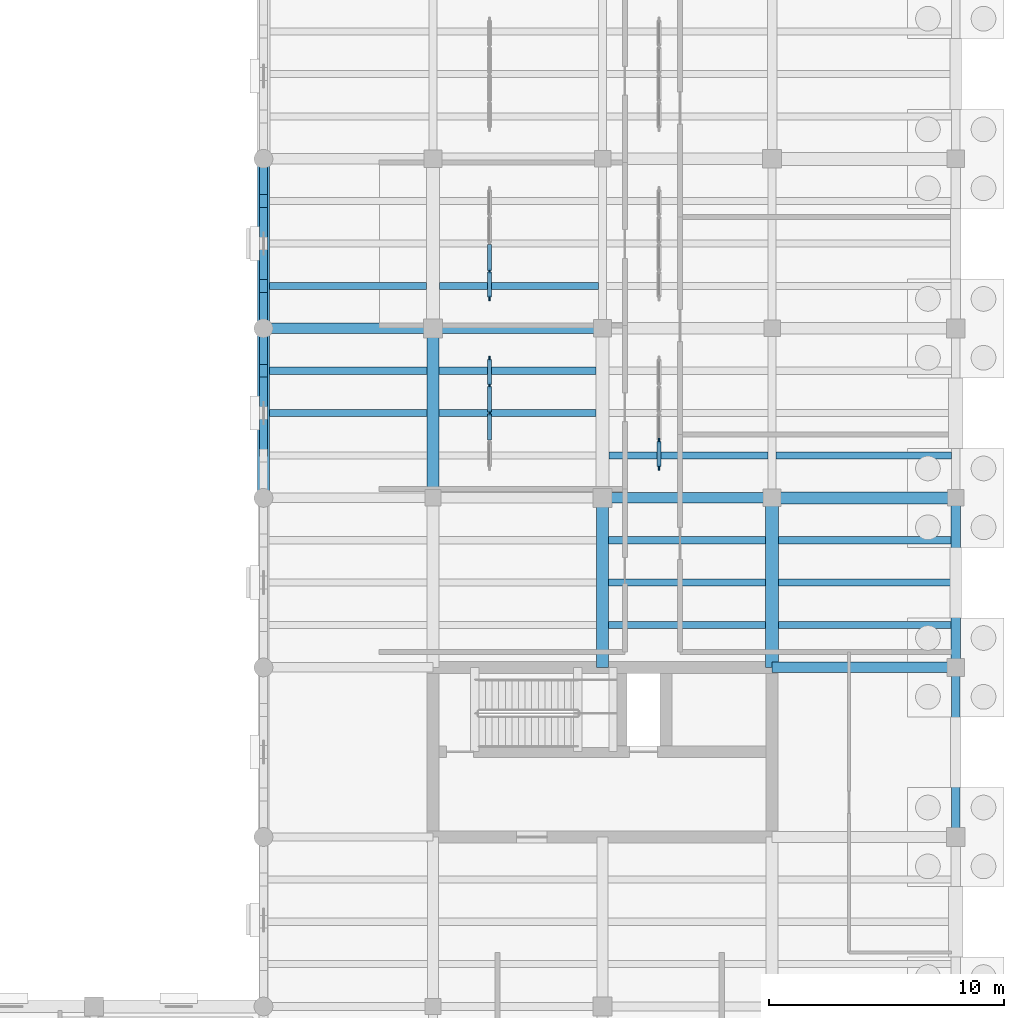
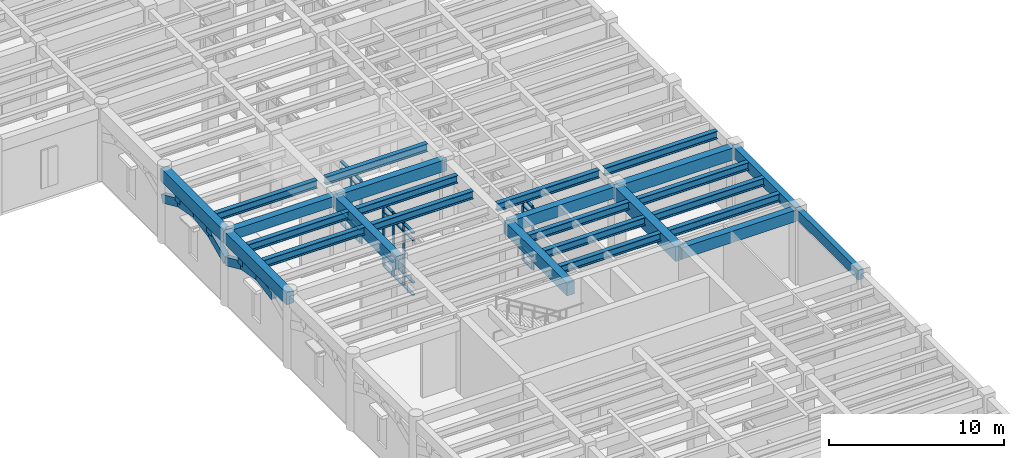
# One storey, part 40 of 100: 41 members, 26 beams, 3 elements without a shape of their own.
"""IFC4 building model written with IfcOpenShell, lengths in metres."""

from ifc_helpers import new_model, si_unit, direction, frame, origin, origin_2d, place, context, subcontext, project, spatial, rectangle, i_section, extrude, material, material_profile, profile_set, type_object, element, aggregate, save


model = new_model("IFC4")

# Units and contexts
model_context = context("Model", 3, precision=1e-05, world=origin(), true_north=direction((0.0, 1.0)))
body_context = subcontext(model_context, "Body", "Model", "MODEL_VIEW")
ifc_project = project(units=[si_unit("LENGTHUNIT", "METRE"), si_unit("AREAUNIT", "SQUARE_METRE"), si_unit("VOLUMEUNIT", "CUBIC_METRE"), si_unit("PLANEANGLEUNIT", "RADIAN"), si_unit("MASSUNIT", "GRAM", prefix="KILO")], contexts=[model_context])

# Site, building, storey
site_placement = place(None, origin())
site = spatial("IfcSite", under=ifc_project, at=site_placement, CompositionType="ELEMENT")
building_placement = place(site_placement, origin())
building = spatial("IfcBuilding", under=site, at=building_placement, Name="Mithqara Police Headquarters", CompositionType="ELEMENT")
storey_placement = place(building_placement, origin())
storey = spatial("IfcBuildingStorey", under=building, at=storey_placement, Name="L00", CompositionType="ELEMENT", Elevation=0.0)

# Members
ifc_material_1 = material(Name="Concrete C50/60", Category="concrete")
ifc_material_profile_1 = material_profile(ifc_material_1, rectangle(XDim=0.35009765625, YDim=0.550048828125, at=origin_2d()), Name="ARC 350x550")
ifc_profile_set_1 = profile_set([ifc_material_profile_1], Name="Concrete C50/60")
member_type_1 = type_object("IfcMemberType", Name="ARCH SEG 350X550", PredefinedType="STRUT", material=ifc_profile_set_1)
member_1_placement = place(storey_placement, frame((144.60009765625, 58.800048828125, 3.76318359375), z_axis=(0.0, 0.982930996603, 0.183974606715), x_axis=(-1.0, 0.0, 0.0)))
element("IfcMember", 1, at=member_1_placement, inside=storey, type_object=member_type_1, Name="East Courtyard Cloister Bay 4 Ottoman Arch Chord 2", PredefinedType="STRUT", context=body_context, shape_type="SweptSolid", body=[
    extrude(rectangle(XDim=0.35009765625, YDim=0.550048828125, at=origin_2d()), origin(), (0.0, 0.0, 1.0), 1.831298828125),
])
member_2_placement = place(storey_placement, frame((144.60009765625, 60.60009765625, 4.10009765625), z_axis=(0.0, 0.982926483452, -0.183998717738), x_axis=(-1.0, 0.0, 0.0)))
element("IfcMember", 2, at=member_2_placement, inside=storey, type_object=member_type_1, Name="East Courtyard Cloister Bay 4 Ottoman Arch Chord 3", PredefinedType="STRUT", context=body_context, shape_type="SweptSolid", body=[
    extrude(rectangle(XDim=0.35009765625, YDim=0.550048828125, at=origin_2d()), origin(), (0.0, 0.0, 1.0), 1.8310546875),
])
member_3_placement = place(storey_placement, frame((144.60009765625, 62.39990234375, 3.76318359375), z_axis=(0.0, 0.911312261811, -0.411715874691), x_axis=(-1.0, 0.0, 0.0)))
element("IfcMember", 3, at=member_3_placement, inside=storey, type_object=member_type_1, Name="East Courtyard Cloister Bay 4 Ottoman Arch Chord 4", PredefinedType="STRUT", context=body_context, shape_type="SweptSolid", body=[
    extrude(rectangle(XDim=0.35009765625, YDim=0.550048828125, at=origin_2d()), origin(), (0.0, 0.0, 1.0), 1.975341796875),
])
member_4_placement = place(storey_placement, frame((144.60009765625, 62.39990234375, 3.76318359375), z_axis=(0.0, 0.0, 1.0), x_axis=(1.0, 0.0, 0.0)))
element("IfcMember", 4, at=member_4_placement, inside=storey, type_object=member_type_1, Name="East Courtyard Cloister Bay 4 Arch Spandrel Post 3", PredefinedType="STRUT", context=body_context, shape_type="SweptSolid", body=[
    extrude(rectangle(XDim=0.35009765625, YDim=0.550048828125, at=origin_2d()), origin(), (0.0, 0.0, 1.0), 0.931884765625),
])
member_5_placement = place(storey_placement, frame((144.60009765625, 64.199951171875, 2.949951171875), z_axis=(0.0, 0.911312261811, 0.411715874691), x_axis=(-1.0, 0.0, 0.0)))
element("IfcMember", 5, at=member_5_placement, inside=storey, type_object=member_type_1, Name="East Courtyard Cloister Bay 5 Ottoman Arch Chord 1", PredefinedType="STRUT", context=body_context, shape_type="SweptSolid", body=[
    extrude(rectangle(XDim=0.35009765625, YDim=0.550048828125, at=origin_2d()), origin(), (0.0, 0.0, 1.0), 1.975341796875),
])
for number, where, z_axis, x_axis, name in (
    (6, (144.60009765625, 66.0, 3.76318359375), (0.0, 0.982930996603, 0.183974606715), (-1.0, 0.0, 0.0), "East Courtyard Cloister Bay 5 Ottoman Arch Chord 2"),
    (7, (144.60009765625, 67.800048828125, 4.10009765625), (0.0, 0.982930996603, -0.183974606715), (-1.0, 0.0, 0.0), "East Courtyard Cloister Bay 5 Ottoman Arch Chord 3"),
):
    element("IfcMember", number, at=place(storey_placement, frame(where, z_axis=z_axis, x_axis=x_axis)), inside=storey, type_object=member_type_1, Name=name, PredefinedType="STRUT", context=body_context, shape_type="SweptSolid", body=[
        extrude(rectangle(XDim=0.35009765625, YDim=0.550048828125, at=origin_2d()), origin(), (0.0, 0.0, 1.0), 1.831298828125),
    ])
member_6_placement = place(storey_placement, frame((144.60009765625, 69.60009765625, 3.76318359375), z_axis=(0.0, 0.911291306622, -0.411762254796), x_axis=(-1.0, 0.0, 0.0)))
element("IfcMember", 8, at=member_6_placement, inside=storey, type_object=member_type_1, Name="East Courtyard Cloister Bay 5 Ottoman Arch Chord 4", PredefinedType="STRUT", context=body_context, shape_type="SweptSolid", body=[
    extrude(rectangle(XDim=0.35009765625, YDim=0.550048828125, at=origin_2d()), origin(), (0.0, 0.0, 1.0), 1.97509765625),
])
for number, where, z_axis, x_axis, name in (
    (9, (144.60009765625, 66.0, 3.76318359375), (0.0, 0.0, 1.0), (1.0, 0.0, 0.0), "East Courtyard Cloister Bay 5 Arch Spandrel Post 1"),
    (10, (144.60009765625, 69.60009765625, 3.76318359375), (0.0, 0.0, 1.0), (1.0, 0.0, 0.0), "East Courtyard Cloister Bay 5 Arch Spandrel Post 3"),
):
    element("IfcMember", number, at=place(storey_placement, frame(where, z_axis=z_axis, x_axis=x_axis)), inside=storey, type_object=member_type_1, Name=name, PredefinedType="STRUT", context=body_context, shape_type="SweptSolid", body=[
        extrude(rectangle(XDim=0.35009765625, YDim=0.550048828125, at=origin_2d()), origin(), (0.0, 0.0, 1.0), 0.90673828125),
    ])

# Beams
ifc_material_2 = material(Name="Steel S355JR", Category="steel")
ifc_material_profile_2 = material_profile(ifc_material_2, i_section(OverallWidth=0.300048828125, OverallDepth=0.550048828125, WebThickness=0.014892578125, FlangeThickness=0.029052734375, FilletRadius=0.027099609375, at=origin_2d()), Name="HEB 550")
ifc_profile_set_2 = profile_set([ifc_material_profile_2], Name="Steel S355JR")
beam_type_1 = type_object("IfcBeamType", Name="BEAM HEB550", PredefinedType="BEAM", material=ifc_profile_set_2)
for number, where, z_axis, x_axis, name in (
    (11, (144.85009765625, 60.60009765625, 4.844970703125), (1.0, 0.0, 0.0), (0.0, 1.0, 0.0), "L00 Composite Steel Joist 21-22/J.2"),
    (12, (144.85009765625, 62.39990234375, 4.844970703125), (1.0, 0.0, 0.0), (0.0, 1.0, 0.0), "L00 Composite Steel Joist 21-22/J.3"),
):
    element("IfcBeam", number, at=place(storey_placement, frame(where, z_axis=z_axis, x_axis=x_axis)), inside=storey, type_object=beam_type_1, Name=name, PredefinedType="BEAM", context=body_context, shape_type="SweptSolid", body=[
        extrude(i_section(OverallWidth=0.300048828125, OverallDepth=0.550048828125, WebThickness=0.014892578125, FlangeThickness=0.029052734375, FilletRadius=0.027099609375, at=origin_2d()), origin(), (0.0, 0.0, 1.0), 6.699951171875),
    ])
beam_1_placement = place(storey_placement, frame((144.85009765625, 66.0, 4.844970703125), z_axis=(1.0, 0.0, 0.0), x_axis=(0.0, 1.0, 0.0)))
element("IfcBeam", 13, at=beam_1_placement, inside=storey, type_object=beam_type_1, Name="L00 Composite Steel Joist 21-22/K.1", PredefinedType="BEAM", context=body_context, shape_type="SweptSolid", body=[
    extrude(i_section(OverallWidth=0.300048828125, OverallDepth=0.550048828125, WebThickness=0.014892578125, FlangeThickness=0.029052734375, FilletRadius=0.027099609375, at=origin_2d()), origin(), (0.0, 0.0, 1.0), 6.6748046875),
])
for number, where, z_axis, x_axis, name in (
    (14, (152.050048828125, 60.60009765625, 4.844970703125), (1.0, 0.0, 0.0), (0.0, 1.0, 0.0), "L00 Composite Steel Joist 22-23/J.2"),
    (15, (152.050048828125, 62.39990234375, 4.844970703125), (1.0, 0.0, 0.0), (0.0, 1.0, 0.0), "L00 Composite Steel Joist 22-23/J.3"),
):
    element("IfcBeam", number, at=place(storey_placement, frame(where, z_axis=z_axis, x_axis=x_axis)), inside=storey, type_object=beam_type_1, Name=name, PredefinedType="BEAM", context=body_context, shape_type="SweptSolid", body=[
        extrude(i_section(OverallWidth=0.300048828125, OverallDepth=0.550048828125, WebThickness=0.014892578125, FlangeThickness=0.029052734375, FilletRadius=0.027099609375, at=origin_2d()), origin(), (0.0, 0.0, 1.0), 6.675048828125),
    ])
beam_2_placement = place(storey_placement, frame((152.074951171875, 66.0, 4.844970703125), z_axis=(1.0, 0.0, 0.0), x_axis=(0.0, 1.0, 0.0)))
element("IfcBeam", 16, at=beam_2_placement, inside=storey, type_object=beam_type_1, Name="L00 Composite Steel Joist 22-23/K.1", PredefinedType="BEAM", context=body_context, shape_type="SweptSolid", body=[
    extrude(i_section(OverallWidth=0.300048828125, OverallDepth=0.550048828125, WebThickness=0.014892578125, FlangeThickness=0.029052734375, FilletRadius=0.027099609375, at=origin_2d()), origin(), (0.0, 0.0, 1.0), 6.75),
])
for number, where, z_axis, x_axis, name in (
    (17, (159.25, 51.60009765625, 4.844970703125), (1.0, 0.0, 0.0), (0.0, 1.0, 0.0), "L00 Composite Steel Joist 23-24/H.1"),
    (18, (159.25, 53.39990234375, 4.844970703125), (1.0, 0.0, 0.0), (0.0, 1.0, 0.0), "L00 Composite Steel Joist 23-24/H.2"),
    (19, (159.25, 55.199951171875, 4.844970703125), (1.0, 0.0, 0.0), (0.0, 1.0, 0.0), "L00 Composite Steel Joist 23-24/H.3"),
):
    element("IfcBeam", number, at=place(storey_placement, frame(where, z_axis=z_axis, x_axis=x_axis)), inside=storey, type_object=beam_type_1, Name=name, PredefinedType="BEAM", context=body_context, shape_type="SweptSolid", body=[
        extrude(i_section(OverallWidth=0.300048828125, OverallDepth=0.550048828125, WebThickness=0.014892578125, FlangeThickness=0.029052734375, FilletRadius=0.027099609375, at=origin_2d()), origin(), (0.0, 0.0, 1.0), 6.675048828125),
    ])
beam_3_placement = place(storey_placement, frame((159.27490234375, 58.800048828125, 4.844970703125), z_axis=(1.0, 0.0, 0.0), x_axis=(0.0, 1.0, 0.0)))
element("IfcBeam", 20, at=beam_3_placement, inside=storey, type_object=beam_type_1, Name="L00 Composite Steel Joist 23-24/J.1", PredefinedType="BEAM", context=body_context, shape_type="SweptSolid", body=[
    extrude(i_section(OverallWidth=0.300048828125, OverallDepth=0.550048828125, WebThickness=0.014892578125, FlangeThickness=0.029052734375, FilletRadius=0.027099609375, at=origin_2d()), origin(), (0.0, 0.0, 1.0), 6.75),
])
for number, where, z_axis, x_axis, name in (
    (21, (166.47509765625, 51.60009765625, 4.844970703125), (1.0, 0.0, 0.0), (0.0, 1.0, 0.0), "L00 Composite Steel Joist 24-25/H.1"),
    (22, (166.47509765625, 53.39990234375, 4.844970703125), (1.0, 0.0, 0.0), (0.0, 1.0, 0.0), "L00 Composite Steel Joist 24-25/H.2"),
    (23, (166.47509765625, 55.199951171875, 4.844970703125), (1.0, 0.0, 0.0), (0.0, 1.0, 0.0), "L00 Composite Steel Joist 24-25/H.3"),
):
    element("IfcBeam", number, at=place(storey_placement, frame(where, z_axis=z_axis, x_axis=x_axis)), inside=storey, type_object=beam_type_1, Name=name, PredefinedType="BEAM", context=body_context, shape_type="SweptSolid", body=[
        extrude(i_section(OverallWidth=0.300048828125, OverallDepth=0.550048828125, WebThickness=0.014892578125, FlangeThickness=0.029052734375, FilletRadius=0.027099609375, at=origin_2d()), origin(), (0.0, 0.0, 1.0), 7.324951171875),
    ])
beam_4_placement = place(storey_placement, frame((166.375, 58.800048828125, 4.844970703125), z_axis=(1.0, 0.0, 0.0), x_axis=(0.0, 1.0, 0.0)))
element("IfcBeam", 24, at=beam_4_placement, inside=storey, type_object=beam_type_1, Name="L00 Composite Steel Joist 24-25/J.1", PredefinedType="BEAM", context=body_context, shape_type="SweptSolid", body=[
    extrude(i_section(OverallWidth=0.300048828125, OverallDepth=0.550048828125, WebThickness=0.014892578125, FlangeThickness=0.029052734375, FilletRadius=0.027099609375, at=origin_2d()), origin(), (0.0, 0.0, 1.0), 7.449951171875),
])
ifc_material_3 = material(Name="Concrete C40/50", Category="concrete")
ifc_material_profile_3 = material_profile(ifc_material_3, rectangle(XDim=0.449951171875, YDim=0.699951171875, at=origin_2d()), Name="RC 450x700")
ifc_profile_set_3 = profile_set([ifc_material_profile_3], Name="Concrete C40/50")
beam_type_2 = type_object("IfcBeamType", Name="BEAM RC450X700", PredefinedType="BEAM", material=ifc_profile_set_3)
beam_5_placement = place(storey_placement, frame((144.60009765625, 64.199951171875, 4.77001953125), z_axis=(1.0, 0.0, 0.0), x_axis=(0.0, 1.0, 0.0)))
element("IfcBeam", 25, at=beam_5_placement, inside=storey, type_object=beam_type_2, Name="L00 Girder 21-22/K", PredefinedType="BEAM", context=body_context, shape_type="SweptSolid", body=[
    extrude(rectangle(XDim=0.449951171875, YDim=0.699951171875, at=origin_2d()), origin(), (0.0, 0.0, 1.0), 7.199951171875),
])
ifc_material_profile_4 = material_profile(ifc_material_3, rectangle(XDim=0.449951171875, YDim=0.800048828125, at=origin_2d()), Name="RC 450x800")
ifc_profile_set_4 = profile_set([ifc_material_profile_4], Name="Concrete C40/50")
beam_type_3 = type_object("IfcBeamType", Name="BEAM RC450X800", PredefinedType="BEAM", material=ifc_profile_set_4)
for number, where, z_axis, x_axis, name in (
    (26, (151.800048828125, 64.199951171875, 4.719970703125), (1.0, 0.0, 0.0), (0.0, 1.0, 0.0), "L00 Girder 22-23/K"),
    (27, (159.0, 57.0, 4.719970703125), (1.0, 0.0, 0.0), (0.0, 1.0, 0.0), "L00 Girder 23-24/J"),
):
    element("IfcBeam", number, at=place(storey_placement, frame(where, z_axis=z_axis, x_axis=x_axis)), inside=storey, type_object=beam_type_3, Name=name, PredefinedType="BEAM", context=body_context, shape_type="SweptSolid", body=[
        extrude(rectangle(XDim=0.449951171875, YDim=0.800048828125, at=origin_2d()), origin(), (0.0, 0.0, 1.0), 7.199951171875),
    ])
beam_6_placement = place(storey_placement, frame((166.199951171875, 49.800048828125, 4.719970703125), z_axis=(1.0, 0.0, 0.0), x_axis=(0.0, 1.0, 0.0)))
element("IfcBeam", 28, at=beam_6_placement, inside=storey, type_object=beam_type_3, Name="L00 Girder 24-25/H", PredefinedType="BEAM", context=body_context, shape_type="SweptSolid", body=[
    extrude(rectangle(XDim=0.449951171875, YDim=0.800048828125, at=origin_2d()), origin(), (0.0, 0.0, 1.0), 7.800048828125),
])
ifc_material_profile_5 = material_profile(ifc_material_3, rectangle(XDim=0.5, YDim=0.85009765625, at=origin_2d()), Name="RC 500x850")
ifc_profile_set_5 = profile_set([ifc_material_profile_5], Name="Concrete C40/50")
beam_type_4 = type_object("IfcBeamType", Name="BEAM RC500X850", PredefinedType="BEAM", material=ifc_profile_set_5)
beam_7_placement = place(storey_placement, frame((144.60009765625, 57.0, 4.695068359375), z_axis=(0.0, 1.0, 0.0), x_axis=(-1.0, 0.0, 0.0)))
element("IfcBeam", 29, at=beam_7_placement, inside=storey, type_object=beam_type_4, Name="L00 Girder 21/J-K", PredefinedType="BEAM", context=body_context, shape_type="SweptSolid", body=[
    extrude(rectangle(XDim=0.5, YDim=0.85009765625, at=origin_2d()), origin(), (0.0, 0.0, 1.0), 7.199951171875),
])
beam_8_placement = place(storey_placement, frame((166.199951171875, 57.0, 4.695068359375), z_axis=(1.0, 0.0, 0.0), x_axis=(0.0, 1.0, 0.0)))
element("IfcBeam", 30, at=beam_8_placement, inside=storey, type_object=beam_type_4, Name="L00 Girder 24-25/J", PredefinedType="BEAM", context=body_context, shape_type="SweptSolid", body=[
    extrude(rectangle(XDim=0.5, YDim=0.85009765625, at=origin_2d()), origin(), (0.0, 0.0, 1.0), 7.800048828125),
])
ifc_material_profile_6 = material_profile(ifc_material_1, rectangle(XDim=0.5, YDim=0.89990234375, at=origin_2d()), Name="RC 500x900")
ifc_profile_set_6 = profile_set([ifc_material_profile_6], Name="Concrete C50/60")
beam_type_5 = type_object("IfcBeamType", Name="BEAM RC500X900", PredefinedType="BEAM", material=ifc_profile_set_6)
for number, where, z_axis, x_axis, name in (
    (31, (144.60009765625, 64.199951171875, 4.669921875), (0.0, 1.0, 0.0), (-1.0, 0.0, 0.0), "L00 Girder 21/K-L"),
    (32, (151.800048828125, 57.0, 4.669921875), (0.0, 1.0, 0.0), (-1.0, 0.0, 0.0), "L00 Girder 22/J-K"),
    (33, (159.0, 49.800048828125, 4.669921875), (0.0, 1.0, 0.0), (-1.0, 0.0, 0.0), "L00 Girder 23/H-J"),
):
    element("IfcBeam", number, at=place(storey_placement, frame(where, z_axis=z_axis, x_axis=x_axis)), inside=storey, type_object=beam_type_5, Name=name, PredefinedType="BEAM", context=body_context, shape_type="SweptSolid", body=[
        extrude(rectangle(XDim=0.5, YDim=0.89990234375, at=origin_2d()), origin(), (0.0, 0.0, 1.0), 7.199951171875),
    ])
ifc_material_profile_7 = material_profile(ifc_material_1, rectangle(XDim=0.550048828125, YDim=1.0, at=origin_2d()), Name="RC 550x1000")
ifc_profile_set_7 = profile_set([ifc_material_profile_7], Name="Concrete C50/60")
beam_type_6 = type_object("IfcBeamType", Name="BEAM RC550X1000", PredefinedType="BEAM", material=ifc_profile_set_7)
beam_9_placement = place(storey_placement, frame((166.199951171875, 49.800048828125, 4.6201171875), z_axis=(0.0, 1.0, 0.0), x_axis=(-1.0, 0.0, 0.0)))
element("IfcBeam", 34, at=beam_9_placement, inside=storey, type_object=beam_type_6, Name="L00 Girder 24/H-J", PredefinedType="BEAM", context=body_context, shape_type="SweptSolid", body=[
    extrude(rectangle(XDim=0.550048828125, YDim=1.0, at=origin_2d()), origin(), (0.0, 0.0, 1.0), 7.199951171875),
])

# Curtain wall, members
ifc_material_4 = material(Name="Bronze anodised aluminium 6063-T6", Category="aluminium")
curtain_wall_type = type_object("IfcCurtainWallType", Name="CURTAIN WALL 4700X4400", PredefinedType="USERDEFINED", material=ifc_material_4)
curtain_wall_1_placement = place(storey_placement, origin())
curtain_wall_1 = element("IfcCurtainWall", 35, at=curtain_wall_1_placement, inside=storey, type_object=curtain_wall_type, Name="L00 Unitised Glazing CW-14 (CW-INT-L00-X21-Y08-0)", ObjectType="UNITISED GLAZING", PredefinedType="USERDEFINED")
ifc_material_profile_8 = material_profile(ifc_material_4, rectangle(XDim=0.074951171875, YDim=0.219970703125, at=origin_2d()), Name="CWM 75x220")
ifc_profile_set_8 = profile_set([ifc_material_profile_8], Name="Bronze anodised aluminium 6063-T6")
member_type_2 = type_object("IfcMemberType", Name="CWMULLION 75X220", PredefinedType="MULLION", material=ifc_profile_set_8)
member_7_placement = place(storey_placement, frame((154.199951171875, 60.60009765625, 0.0), z_axis=(0.0, 0.0, 1.0), x_axis=(-1.0, 0.0, 0.0)))
member_7 = element("IfcMember", 36, at=member_7_placement, type_object=member_type_2, Name="CW-14 mullion 3", PredefinedType="MULLION", context=body_context, shape_type="SweptSolid", body=[
    extrude(rectangle(XDim=0.074951171875, YDim=0.219970703125, at=origin_2d()), origin(), (0.0, 0.0, 1.0), 4.39990234375),
])
member_8_placement = place(storey_placement, frame((154.199951171875, 61.77490234375, 0.0), z_axis=(0.0, 0.0, 1.0), x_axis=(-1.0, 0.0, 0.0)))
member_8 = element("IfcMember", 37, at=member_8_placement, type_object=member_type_2, Name="CW-14 mullion 4", PredefinedType="MULLION", context=body_context, shape_type="SweptSolid", body=[
    extrude(rectangle(XDim=0.074951171875, YDim=0.219970703125, at=origin_2d()), origin(), (0.0, 0.0, 1.0), 4.39990234375),
])
member_9_placement = place(storey_placement, frame((154.199951171875, 62.91259765625, 0.0), z_axis=(0.0, 0.0, 1.0), x_axis=(-1.0, 0.0, 0.0)))
member_9 = element("IfcMember", 38, at=member_9_placement, type_object=member_type_2, Name="CW-14 mullion 5", PredefinedType="MULLION", context=body_context, shape_type="SweptSolid", body=[
    extrude(rectangle(XDim=0.074951171875, YDim=0.219970703125, at=origin_2d()), origin(), (0.0, 0.0, 1.0), 4.39990234375),
])

curtain_wall_2_placement = place(storey_placement, origin())
curtain_wall_2 = element("IfcCurtainWall", 39, at=curtain_wall_2_placement, inside=storey, type_object=curtain_wall_type, Name="L00 Unitised Glazing CW-14 (CW-INT-L00-X21-Y09-0)", ObjectType="UNITISED GLAZING", PredefinedType="USERDEFINED")
member_10_placement = place(storey_placement, frame((154.199951171875, 65.487548828125, 0.0), z_axis=(0.0, 0.0, 1.0), x_axis=(-1.0, 0.0, 0.0)))
member_10 = element("IfcMember", 40, at=member_10_placement, type_object=member_type_2, Name="CW-14 mullion 1", PredefinedType="MULLION", context=body_context, shape_type="SweptSolid", body=[
    extrude(rectangle(XDim=0.074951171875, YDim=0.219970703125, at=origin_2d()), origin(), (0.0, 0.0, 1.0), 4.39990234375),
])
member_11_placement = place(storey_placement, frame((154.199951171875, 66.625, 0.0), z_axis=(0.0, 0.0, 1.0), x_axis=(-1.0, 0.0, 0.0)))
member_11 = element("IfcMember", 41, at=member_11_placement, type_object=member_type_2, Name="CW-14 mullion 2", PredefinedType="MULLION", context=body_context, shape_type="SweptSolid", body=[
    extrude(rectangle(XDim=0.074951171875, YDim=0.219970703125, at=origin_2d()), origin(), (0.0, 0.0, 1.0), 4.39990234375),
])

curtain_wall_3_placement = place(storey_placement, origin())
curtain_wall_3 = element("IfcCurtainWall", 42, at=curtain_wall_3_placement, inside=storey, type_object=curtain_wall_type, Name="L00 Unitised Glazing CW-14 (CW-INT-L00-X22-Y08-0)", ObjectType="UNITISED GLAZING", PredefinedType="USERDEFINED")
member_12_placement = place(storey_placement, frame((161.39990234375, 58.28759765625, 0.0), z_axis=(0.0, 0.0, 1.0), x_axis=(-1.0, 0.0, 0.0)))
member_12 = element("IfcMember", 43, at=member_12_placement, type_object=member_type_2, Name="CW-14 mullion 1", PredefinedType="MULLION", context=body_context, shape_type="SweptSolid", body=[
    extrude(rectangle(XDim=0.074951171875, YDim=0.219970703125, at=origin_2d()), origin(), (0.0, 0.0, 1.0), 4.39990234375),
])
member_13_placement = place(storey_placement, frame((161.39990234375, 59.425048828125, 0.0), z_axis=(0.0, 0.0, 1.0), x_axis=(-1.0, 0.0, 0.0)))
member_13 = element("IfcMember", 44, at=member_13_placement, type_object=member_type_2, Name="CW-14 mullion 2", PredefinedType="MULLION", context=body_context, shape_type="SweptSolid", body=[
    extrude(rectangle(XDim=0.074951171875, YDim=0.219970703125, at=origin_2d()), origin(), (0.0, 0.0, 1.0), 4.39990234375),
])

# Member
ifc_material_profile_9 = material_profile(ifc_material_4, rectangle(XDim=0.179931640625, YDim=0.074951171875, at=origin_2d()), Name="CWT 180x75")
ifc_profile_set_9 = profile_set([ifc_material_profile_9], Name="Bronze anodised aluminium 6063-T6")
member_type_3 = type_object("IfcMemberType", Name="CWTRANSOM 180X75", PredefinedType="USERDEFINED", material=ifc_profile_set_9)
member_14_placement = place(storey_placement, frame((154.199951171875, 59.46240234375, 0.03759765625), z_axis=(0.0, 1.0, 0.0), x_axis=(-1.0, 0.0, 0.0)))
member_14 = element("IfcMember", 45, at=member_14_placement, type_object=member_type_3, Name="CW-14 transom 2.1", ObjectType="TRANSOM", PredefinedType="USERDEFINED", context=body_context, shape_type="SweptSolid", body=[
    extrude(rectangle(XDim=0.179931640625, YDim=0.074951171875, at=origin_2d()), origin(), (0.0, 0.0, 1.0), 1.10009765625),
])

member_15_placement = place(storey_placement, frame((154.199951171875, 59.46240234375, 0.89990234375), z_axis=(0.0, 1.0, 0.0), x_axis=(-1.0, 0.0, 0.0)))
member_15 = element("IfcMember", 46, at=member_15_placement, type_object=member_type_3, Name="CW-14 transom 2.2", ObjectType="TRANSOM", PredefinedType="USERDEFINED", context=body_context, shape_type="SweptSolid", body=[
    extrude(rectangle(XDim=0.179931640625, YDim=0.074951171875, at=origin_2d()), origin(), (0.0, 0.0, 1.0), 1.10009765625),
])

member_16_placement = place(storey_placement, frame((154.199951171875, 59.46240234375, 3.85009765625), z_axis=(0.0, 1.0, 0.0), x_axis=(-1.0, 0.0, 0.0)))
member_16 = element("IfcMember", 47, at=member_16_placement, type_object=member_type_3, Name="CW-14 transom 2.3", ObjectType="TRANSOM", PredefinedType="USERDEFINED", context=body_context, shape_type="SweptSolid", body=[
    extrude(rectangle(XDim=0.179931640625, YDim=0.074951171875, at=origin_2d()), origin(), (0.0, 0.0, 1.0), 1.10009765625),
])

member_17_placement = place(storey_placement, frame((154.199951171875, 59.46240234375, 4.362548828125), z_axis=(0.0, 1.0, 0.0), x_axis=(-1.0, 0.0, 0.0)))
member_17 = element("IfcMember", 48, at=member_17_placement, type_object=member_type_3, Name="CW-14 transom 2.4", ObjectType="TRANSOM", PredefinedType="USERDEFINED", context=body_context, shape_type="SweptSolid", body=[
    extrude(rectangle(XDim=0.179931640625, YDim=0.074951171875, at=origin_2d()), origin(), (0.0, 0.0, 1.0), 1.10009765625),
])

member_18_placement = place(storey_placement, frame((154.199951171875, 60.637451171875, 0.03759765625), z_axis=(0.0, 1.0, 0.0), x_axis=(-1.0, 0.0, 0.0)))
member_18 = element("IfcMember", 49, at=member_18_placement, type_object=member_type_3, Name="CW-14 transom 3.1", ObjectType="TRANSOM", PredefinedType="USERDEFINED", context=body_context, shape_type="SweptSolid", body=[
    extrude(rectangle(XDim=0.179931640625, YDim=0.074951171875, at=origin_2d()), origin(), (0.0, 0.0, 1.0), 1.10009765625),
])

member_19_placement = place(storey_placement, frame((154.199951171875, 60.637451171875, 0.89990234375), z_axis=(0.0, 1.0, 0.0), x_axis=(-1.0, 0.0, 0.0)))
member_19 = element("IfcMember", 50, at=member_19_placement, type_object=member_type_3, Name="CW-14 transom 3.2", ObjectType="TRANSOM", PredefinedType="USERDEFINED", context=body_context, shape_type="SweptSolid", body=[
    extrude(rectangle(XDim=0.179931640625, YDim=0.074951171875, at=origin_2d()), origin(), (0.0, 0.0, 1.0), 1.10009765625),
])

member_20_placement = place(storey_placement, frame((154.199951171875, 60.637451171875, 3.85009765625), z_axis=(0.0, 1.0, 0.0), x_axis=(-1.0, 0.0, 0.0)))
member_20 = element("IfcMember", 51, at=member_20_placement, type_object=member_type_3, Name="CW-14 transom 3.3", ObjectType="TRANSOM", PredefinedType="USERDEFINED", context=body_context, shape_type="SweptSolid", body=[
    extrude(rectangle(XDim=0.179931640625, YDim=0.074951171875, at=origin_2d()), origin(), (0.0, 0.0, 1.0), 1.10009765625),
])

member_21_placement = place(storey_placement, frame((154.199951171875, 60.637451171875, 4.362548828125), z_axis=(0.0, 1.0, 0.0), x_axis=(-1.0, 0.0, 0.0)))
member_21 = element("IfcMember", 52, at=member_21_placement, type_object=member_type_3, Name="CW-14 transom 3.4", ObjectType="TRANSOM", PredefinedType="USERDEFINED", context=body_context, shape_type="SweptSolid", body=[
    extrude(rectangle(XDim=0.179931640625, YDim=0.074951171875, at=origin_2d()), origin(), (0.0, 0.0, 1.0), 1.10009765625),
])

member_22_placement = place(storey_placement, frame((154.199951171875, 61.8125, 0.03759765625), z_axis=(0.0, 1.0, 0.0), x_axis=(-1.0, 0.0, 0.0)))
member_22 = element("IfcMember", 53, at=member_22_placement, type_object=member_type_3, Name="CW-14 transom 4.1", ObjectType="TRANSOM", PredefinedType="USERDEFINED", context=body_context, shape_type="SweptSolid", body=[
    extrude(rectangle(XDim=0.179931640625, YDim=0.074951171875, at=origin_2d()), origin(), (0.0, 0.0, 1.0), 1.0625),
])

member_23_placement = place(storey_placement, frame((154.199951171875, 61.8125, 0.89990234375), z_axis=(0.0, 1.0, 0.0), x_axis=(-1.0, 0.0, 0.0)))
member_23 = element("IfcMember", 54, at=member_23_placement, type_object=member_type_3, Name="CW-14 transom 4.2", ObjectType="TRANSOM", PredefinedType="USERDEFINED", context=body_context, shape_type="SweptSolid", body=[
    extrude(rectangle(XDim=0.179931640625, YDim=0.074951171875, at=origin_2d()), origin(), (0.0, 0.0, 1.0), 1.0625),
])

member_24_placement = place(storey_placement, frame((154.199951171875, 61.8125, 3.85009765625), z_axis=(0.0, 1.0, 0.0), x_axis=(-1.0, 0.0, 0.0)))
member_24 = element("IfcMember", 55, at=member_24_placement, type_object=member_type_3, Name="CW-14 transom 4.3", ObjectType="TRANSOM", PredefinedType="USERDEFINED", context=body_context, shape_type="SweptSolid", body=[
    extrude(rectangle(XDim=0.179931640625, YDim=0.074951171875, at=origin_2d()), origin(), (0.0, 0.0, 1.0), 1.0625),
])

member_25_placement = place(storey_placement, frame((154.199951171875, 61.8125, 4.362548828125), z_axis=(0.0, 1.0, 0.0), x_axis=(-1.0, 0.0, 0.0)))
member_25 = element("IfcMember", 56, at=member_25_placement, type_object=member_type_3, Name="CW-14 transom 4.4", ObjectType="TRANSOM", PredefinedType="USERDEFINED", context=body_context, shape_type="SweptSolid", body=[
    extrude(rectangle(XDim=0.179931640625, YDim=0.074951171875, at=origin_2d()), origin(), (0.0, 0.0, 1.0), 1.0625),
])

aggregate(curtain_wall_1, [member_7, member_8, member_9, member_14, member_15, member_16, member_17, member_18, member_19, member_20, member_21, member_22, member_23, member_24, member_25])

member_26_placement = place(storey_placement, frame((154.199951171875, 65.52490234375, 0.03759765625), z_axis=(0.0, 1.0, 0.0), x_axis=(-1.0, 0.0, 0.0)))
member_26 = element("IfcMember", 57, at=member_26_placement, type_object=member_type_3, Name="CW-14 transom 1.1", ObjectType="TRANSOM", PredefinedType="USERDEFINED", context=body_context, shape_type="SweptSolid", body=[
    extrude(rectangle(XDim=0.179931640625, YDim=0.074951171875, at=origin_2d()), origin(), (0.0, 0.0, 1.0), 1.0625),
])

member_27_placement = place(storey_placement, frame((154.199951171875, 65.52490234375, 0.89990234375), z_axis=(0.0, 1.0, 0.0), x_axis=(-1.0, 0.0, 0.0)))
member_27 = element("IfcMember", 58, at=member_27_placement, type_object=member_type_3, Name="CW-14 transom 1.2", ObjectType="TRANSOM", PredefinedType="USERDEFINED", context=body_context, shape_type="SweptSolid", body=[
    extrude(rectangle(XDim=0.179931640625, YDim=0.074951171875, at=origin_2d()), origin(), (0.0, 0.0, 1.0), 1.0625),
])

member_28_placement = place(storey_placement, frame((154.199951171875, 65.52490234375, 3.85009765625), z_axis=(0.0, 1.0, 0.0), x_axis=(-1.0, 0.0, 0.0)))
member_28 = element("IfcMember", 59, at=member_28_placement, type_object=member_type_3, Name="CW-14 transom 1.3", ObjectType="TRANSOM", PredefinedType="USERDEFINED", context=body_context, shape_type="SweptSolid", body=[
    extrude(rectangle(XDim=0.179931640625, YDim=0.074951171875, at=origin_2d()), origin(), (0.0, 0.0, 1.0), 1.0625),
])

member_29_placement = place(storey_placement, frame((154.199951171875, 65.52490234375, 4.362548828125), z_axis=(0.0, 1.0, 0.0), x_axis=(-1.0, 0.0, 0.0)))
member_29 = element("IfcMember", 60, at=member_29_placement, type_object=member_type_3, Name="CW-14 transom 1.4", ObjectType="TRANSOM", PredefinedType="USERDEFINED", context=body_context, shape_type="SweptSolid", body=[
    extrude(rectangle(XDim=0.179931640625, YDim=0.074951171875, at=origin_2d()), origin(), (0.0, 0.0, 1.0), 1.0625),
])

member_30_placement = place(storey_placement, frame((154.199951171875, 66.66259765625, 0.03759765625), z_axis=(0.0, 1.0, 0.0), x_axis=(-1.0, 0.0, 0.0)))
member_30 = element("IfcMember", 61, at=member_30_placement, type_object=member_type_3, Name="CW-14 transom 2.1", ObjectType="TRANSOM", PredefinedType="USERDEFINED", context=body_context, shape_type="SweptSolid", body=[
    extrude(rectangle(XDim=0.179931640625, YDim=0.074951171875, at=origin_2d()), origin(), (0.0, 0.0, 1.0), 1.099853515625),
])

member_31_placement = place(storey_placement, frame((154.199951171875, 66.66259765625, 0.89990234375), z_axis=(0.0, 1.0, 0.0), x_axis=(-1.0, 0.0, 0.0)))
member_31 = element("IfcMember", 62, at=member_31_placement, type_object=member_type_3, Name="CW-14 transom 2.2", ObjectType="TRANSOM", PredefinedType="USERDEFINED", context=body_context, shape_type="SweptSolid", body=[
    extrude(rectangle(XDim=0.179931640625, YDim=0.074951171875, at=origin_2d()), origin(), (0.0, 0.0, 1.0), 1.099853515625),
])

member_32_placement = place(storey_placement, frame((154.199951171875, 66.66259765625, 3.85009765625), z_axis=(0.0, 1.0, 0.0), x_axis=(-1.0, 0.0, 0.0)))
member_32 = element("IfcMember", 63, at=member_32_placement, type_object=member_type_3, Name="CW-14 transom 2.3", ObjectType="TRANSOM", PredefinedType="USERDEFINED", context=body_context, shape_type="SweptSolid", body=[
    extrude(rectangle(XDim=0.179931640625, YDim=0.074951171875, at=origin_2d()), origin(), (0.0, 0.0, 1.0), 1.099853515625),
])

member_33_placement = place(storey_placement, frame((154.199951171875, 66.66259765625, 4.362548828125), z_axis=(0.0, 1.0, 0.0), x_axis=(-1.0, 0.0, 0.0)))
member_33 = element("IfcMember", 64, at=member_33_placement, type_object=member_type_3, Name="CW-14 transom 2.4", ObjectType="TRANSOM", PredefinedType="USERDEFINED", context=body_context, shape_type="SweptSolid", body=[
    extrude(rectangle(XDim=0.179931640625, YDim=0.074951171875, at=origin_2d()), origin(), (0.0, 0.0, 1.0), 1.099853515625),
])

aggregate(curtain_wall_2, [member_10, member_11, member_26, member_27, member_28, member_29, member_30, member_31, member_32, member_33])

member_34_placement = place(storey_placement, frame((161.39990234375, 58.324951171875, 0.03759765625), z_axis=(0.0, 1.0, 0.0), x_axis=(-1.0, 0.0, 0.0)))
member_34 = element("IfcMember", 65, at=member_34_placement, type_object=member_type_3, Name="CW-14 transom 1.1", ObjectType="TRANSOM", PredefinedType="USERDEFINED", context=body_context, shape_type="SweptSolid", body=[
    extrude(rectangle(XDim=0.179931640625, YDim=0.074951171875, at=origin_2d()), origin(), (0.0, 0.0, 1.0), 1.0625),
])

member_35_placement = place(storey_placement, frame((161.39990234375, 58.324951171875, 0.89990234375), z_axis=(0.0, 1.0, 0.0), x_axis=(-1.0, 0.0, 0.0)))
member_35 = element("IfcMember", 66, at=member_35_placement, type_object=member_type_3, Name="CW-14 transom 1.2", ObjectType="TRANSOM", PredefinedType="USERDEFINED", context=body_context, shape_type="SweptSolid", body=[
    extrude(rectangle(XDim=0.179931640625, YDim=0.074951171875, at=origin_2d()), origin(), (0.0, 0.0, 1.0), 1.0625),
])

member_36_placement = place(storey_placement, frame((161.39990234375, 58.324951171875, 3.85009765625), z_axis=(0.0, 1.0, 0.0), x_axis=(-1.0, 0.0, 0.0)))
member_36 = element("IfcMember", 67, at=member_36_placement, type_object=member_type_3, Name="CW-14 transom 1.3", ObjectType="TRANSOM", PredefinedType="USERDEFINED", context=body_context, shape_type="SweptSolid", body=[
    extrude(rectangle(XDim=0.179931640625, YDim=0.074951171875, at=origin_2d()), origin(), (0.0, 0.0, 1.0), 1.0625),
])

member_37_placement = place(storey_placement, frame((161.39990234375, 58.324951171875, 4.362548828125), z_axis=(0.0, 1.0, 0.0), x_axis=(-1.0, 0.0, 0.0)))
member_37 = element("IfcMember", 68, at=member_37_placement, type_object=member_type_3, Name="CW-14 transom 1.4", ObjectType="TRANSOM", PredefinedType="USERDEFINED", context=body_context, shape_type="SweptSolid", body=[
    extrude(rectangle(XDim=0.179931640625, YDim=0.074951171875, at=origin_2d()), origin(), (0.0, 0.0, 1.0), 1.0625),
])

aggregate(curtain_wall_3, [member_12, member_13, member_34, member_35, member_36, member_37])

# Beams
ifc_material_profile_10 = material_profile(ifc_material_3, rectangle(XDim=0.35009765625, YDim=0.699951171875, at=origin_2d()), Name="SPB 350x700")
ifc_profile_set_10 = profile_set([ifc_material_profile_10], Name="Concrete C40/50")
beam_type_7 = type_object("IfcBeamType", Name="SPANDREL 350X700", PredefinedType="SPANDREL", material=ifc_profile_set_10)
beam_10_placement = place(storey_placement, frame((174.0, 42.60009765625, 4.77001953125), z_axis=(0.0, 1.0, 0.0), x_axis=(-1.0, 0.0, 0.0)))
element("IfcBeam", 69, at=beam_10_placement, inside=storey, type_object=beam_type_7, Name="L00 Girder 25/G-H", PredefinedType="SPANDREL", context=body_context, shape_type="SweptSolid", body=[
    extrude(rectangle(XDim=0.35009765625, YDim=0.699951171875, at=origin_2d()), origin(), (0.0, 0.0, 1.0), 7.199951171875),
])
ifc_material_profile_11 = material_profile(ifc_material_3, rectangle(XDim=0.39990234375, YDim=0.75, at=origin_2d()), Name="SPB 400x750")
ifc_profile_set_11 = profile_set([ifc_material_profile_11], Name="Concrete C40/50")
beam_type_8 = type_object("IfcBeamType", Name="SPANDREL 400X750", PredefinedType="SPANDREL", material=ifc_profile_set_11)
beam_11_placement = place(storey_placement, frame((174.0, 49.800048828125, 4.7451171875), z_axis=(0.0, 1.0, 0.0), x_axis=(-1.0, 0.0, 0.0)))
element("IfcBeam", 70, at=beam_11_placement, inside=storey, type_object=beam_type_8, Name="L00 Girder 25/H-J", PredefinedType="SPANDREL", context=body_context, shape_type="SweptSolid", body=[
    extrude(rectangle(XDim=0.39990234375, YDim=0.75, at=origin_2d()), origin(), (0.0, 0.0, 1.0), 7.199951171875),
])

save(model, "model.ifc")
